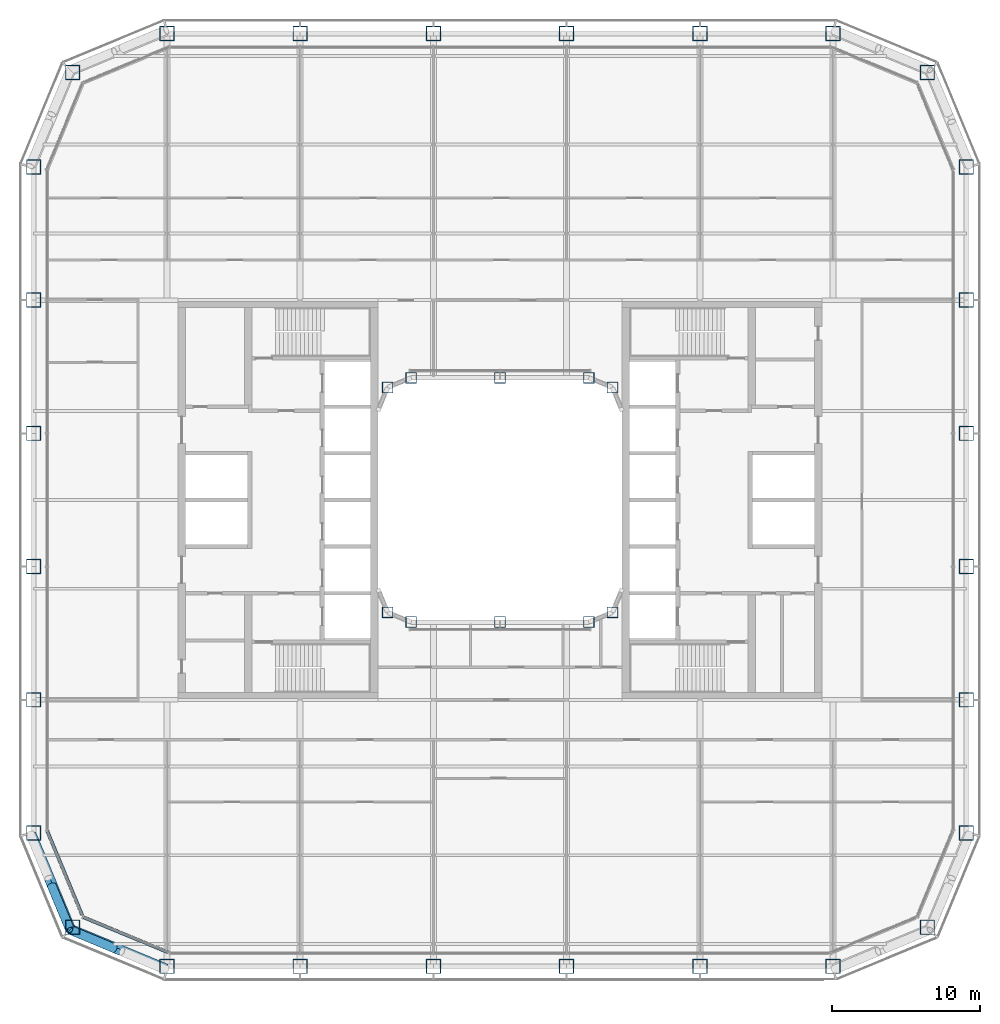
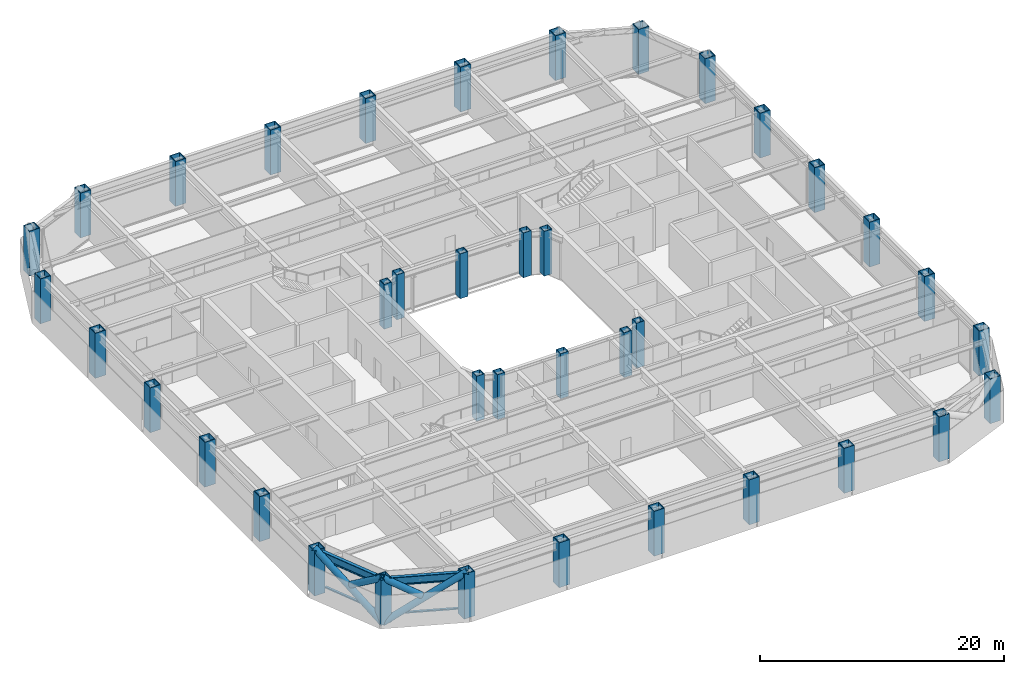
# One storey, part 1 of 24: 38 columns, 6 members, 2 beams, 2 elements without a shape of their own.
"""IFC4 building model written with IfcOpenShell, lengths in metres."""

from ifc_helpers import new_model, si_unit, direction, frame, origin, origin_2d, place, context, subcontext, project, spatial, rectangle, hollow_rectangle, hollow_circle, i_section, extrude, material, layer, layer_set, material_profile, profile_set, type_object, element, aggregate, save


model = new_model("IFC4")

# Units and contexts
model_context = context("Model", 3, precision=1e-05, world=origin(), true_north=direction((0.0, 1.0)))
body_context = subcontext(model_context, "Body", "Model", "MODEL_VIEW")
ifc_project = project(units=[si_unit("LENGTHUNIT", "METRE"), si_unit("AREAUNIT", "SQUARE_METRE"), si_unit("VOLUMEUNIT", "CUBIC_METRE"), si_unit("PLANEANGLEUNIT", "RADIAN"), si_unit("MASSUNIT", "GRAM", prefix="KILO")], contexts=[model_context])

# Site, building, storey
site_placement = place(None, origin())
site = spatial("IfcSite", under=ifc_project, at=site_placement, CompositionType="ELEMENT")
building_placement = place(site_placement, origin())
building = spatial("IfcBuilding", under=site, at=building_placement, Name="Siwar Civic Tower", CompositionType="ELEMENT")
storey_placement = place(building_placement, frame((0.0, 0.0, 76.199951171875)))
storey = spatial("IfcBuildingStorey", under=building, at=storey_placement, Name="L16", CompositionType="ELEMENT", Elevation=76.199951171875)

# Columns
ifc_material_1 = material(Name="Steel S460", Category="steel")
ifc_material_profile_1 = material_profile(ifc_material_1, hollow_rectangle(XDim=1.0, YDim=1.0, WallThickness=0.06005859375, at=origin_2d()), Name="BOX1000x1000x60")
ifc_profile_set_1 = profile_set([ifc_material_profile_1], Name="Steel S460")
column_type_1 = type_object("IfcColumnType", Name="STR-COL-BOX1000x1000x60", PredefinedType="COLUMN", material=ifc_profile_set_1)
for number, where, z_axis, x_axis, name in (
    (1, (-22.5, -31.5, 0.0), (0.0, 0.0, 1.0), (1.0, 0.0, 0.0), "L16/col/S-0"),
    (2, (-13.5, -31.5, 0.0), (0.0, 0.0, 1.0), (1.0, 0.0, 0.0), "L16/col/S-1"),
    (3, (-4.5, -31.5, 0.0), (0.0, 0.0, 1.0), (1.0, 0.0, 0.0), "L16/col/S-2"),
    (4, (4.5, -31.5, 0.0), (0.0, 0.0, 1.0), (1.0, 0.0, 0.0), "L16/col/S-3"),
    (5, (13.5, -31.5, 0.0), (0.0, 0.0, 1.0), (1.0, 0.0, 0.0), "L16/col/S-4"),
    (6, (22.5, -31.5, 0.0), (0.0, 0.0, 1.0), (1.0, 0.0, 0.0), "L16/col/SE1-0"),
    (7, (28.864013671875, -28.864013671875, 0.0), (0.0, 0.0, 1.0), (1.0, 0.0, 0.0), "L16/col/SE2-0"),
    (8, (31.5, -22.5, 0.0), (0.0, 0.0, 1.0), (1.0, 0.0, 0.0), "L16/col/E-0"),
    (9, (31.5, -13.5, 0.0), (0.0, 0.0, 1.0), (1.0, 0.0, 0.0), "L16/col/E-1"),
    (10, (31.5, -4.5, 0.0), (0.0, 0.0, 1.0), (1.0, 0.0, 0.0), "L16/col/E-2"),
    (11, (31.5, 4.5, 0.0), (0.0, 0.0, 1.0), (1.0, 0.0, 0.0), "L16/col/E-3"),
    (12, (31.5, 13.5, 0.0), (0.0, 0.0, 1.0), (1.0, 0.0, 0.0), "L16/col/E-4"),
    (13, (31.5, 22.5, 0.0), (0.0, 0.0, 1.0), (1.0, 0.0, 0.0), "L16/col/NE1-0"),
    (14, (28.864013671875, 28.864013671875, 0.0), (0.0, 0.0, 1.0), (1.0, 0.0, 0.0), "L16/col/NE2-0"),
    (15, (22.5, 31.5, 0.0), (0.0, 0.0, 1.0), (1.0, 0.0, 0.0), "L16/col/N-0"),
    (16, (13.5, 31.5, 0.0), (0.0, 0.0, 1.0), (1.0, 0.0, 0.0), "L16/col/N-1"),
    (17, (4.5, 31.5, 0.0), (0.0, 0.0, 1.0), (1.0, 0.0, 0.0), "L16/col/N-2"),
    (18, (-4.5, 31.5, 0.0), (0.0, 0.0, 1.0), (1.0, 0.0, 0.0), "L16/col/N-3"),
    (19, (-13.5, 31.5, 0.0), (0.0, 0.0, 1.0), (1.0, 0.0, 0.0), "L16/col/N-4"),
    (20, (-22.5, 31.5, 0.0), (0.0, 0.0, 1.0), (1.0, 0.0, 0.0), "L16/col/NW1-0"),
    (21, (-28.864013671875, 28.864013671875, 0.0), (0.0, 0.0, 1.0), (1.0, 0.0, 0.0), "L16/col/NW2-0"),
    (22, (-31.5, 22.5, 0.0), (0.0, 0.0, 1.0), (1.0, 0.0, 0.0), "L16/col/W-0"),
    (23, (-31.5, 13.5, 0.0), (0.0, 0.0, 1.0), (1.0, 0.0, 0.0), "L16/col/W-1"),
    (24, (-31.5, 4.5, 0.0), (0.0, 0.0, 1.0), (1.0, 0.0, 0.0), "L16/col/W-2"),
    (25, (-31.5, -4.5, 0.0), (0.0, 0.0, 1.0), (1.0, 0.0, 0.0), "L16/col/W-3"),
    (26, (-31.5, -13.5, 0.0), (0.0, 0.0, 1.0), (1.0, 0.0, 0.0), "L16/col/W-4"),
    (27, (-31.5, -22.5, 0.0), (0.0, 0.0, 1.0), (1.0, 0.0, 0.0), "L16/col/SW1-0"),
    (28, (-28.864013671875, -28.864013671875, 0.0), (0.0, 0.0, 1.0), (1.0, 0.0, 0.0), "L16/col/SW2-0"),
):
    element("IfcColumn", number, at=place(storey_placement, frame(where, z_axis=z_axis, x_axis=x_axis)), inside=storey, type_object=column_type_1, Name=name, PredefinedType="COLUMN", context=body_context, shape_type="SweptSolid", body=[
        extrude(hollow_rectangle(XDim=1.0, YDim=1.0, WallThickness=0.06005859375, at=origin_2d()), origin(), (0.0, 0.0, 1.0), 4.5),
    ])
ifc_material_2 = material(Name="Steel S355", Category="steel")
ifc_material_profile_2 = material_profile(ifc_material_2, hollow_rectangle(XDim=0.75, YDim=0.75, WallThickness=0.044921875, at=origin_2d()), Name="BOX750x750x45")
ifc_profile_set_2 = profile_set([ifc_material_profile_2], Name="Steel S355")
column_type_2 = type_object("IfcColumnType", Name="STR-ICOL-BOX750x750x45", PredefinedType="COLUMN", material=ifc_profile_set_2)
for number, where, z_axis, x_axis, name in (
    (29, (-7.591064453125, -7.591064453125, 0.0), (0.0, 0.0, 1.0), (1.0, 0.0, 0.0), "L16/col/IS-0"),
    (30, (-6.0, -8.25, 0.0), (0.0, 0.0, 1.0), (1.0, 0.0, 0.0), "L16/col/IS-1"),
    (31, (0.0, -8.25, 0.0), (0.0, 0.0, 1.0), (1.0, 0.0, 0.0), "L16/col/IS-2"),
    (32, (6.0, -8.25, 0.0), (0.0, 0.0, 1.0), (1.0, 0.0, 0.0), "L16/col/IS-3"),
    (33, (7.591064453125, -7.591064453125, 0.0), (0.0, 0.0, 1.0), (1.0, 0.0, 0.0), "L16/col/IS-4"),
    (34, (-7.591064453125, 7.591064453125, 0.0), (0.0, 0.0, 1.0), (1.0, 0.0, 0.0), "L16/col/IN-0"),
    (35, (-6.0, 8.25, 0.0), (0.0, 0.0, 1.0), (1.0, 0.0, 0.0), "L16/col/IN-1"),
    (36, (0.0, 8.25, 0.0), (0.0, 0.0, 1.0), (1.0, 0.0, 0.0), "L16/col/IN-2"),
    (37, (6.0, 8.25, 0.0), (0.0, 0.0, 1.0), (1.0, 0.0, 0.0), "L16/col/IN-3"),
    (38, (7.591064453125, 7.591064453125, 0.0), (0.0, 0.0, 1.0), (1.0, 0.0, 0.0), "L16/col/IN-4"),
):
    element("IfcColumn", number, at=place(storey_placement, frame(where, z_axis=z_axis, x_axis=x_axis)), inside=storey, type_object=column_type_2, Name=name, PredefinedType="COLUMN", context=body_context, shape_type="SweptSolid", body=[
        extrude(hollow_rectangle(XDim=0.75, YDim=0.75, WallThickness=0.044921875, at=origin_2d()), origin(), (0.0, 0.0, 1.0), 4.5),
    ])

# Curtain wall, member
ifc_material_3 = material(Name="Aluminium clad insulated panel", Category="aluminium")
ifc_layer = layer(ifc_material_3, 0.219970703125)
ifc_layer_set = layer_set([ifc_layer], Name="Aluminium clad insulated panel")
curtain_wall_type = type_object("IfcCurtainWallType", Name="ENV-CW-AX", PredefinedType="NOTDEFINED", material=ifc_layer_set)
curtain_wall_1_placement = place(storey_placement, origin())
curtain_wall_1 = element("IfcCurtainWall", 39, at=curtain_wall_1_placement, inside=storey, type_object=curtain_wall_type, Name="Curtain wall A SW1", PredefinedType="NOTDEFINED")
ifc_material_4 = material(Name="Aluminium 6063-T6", Category="aluminium")
ifc_material_profile_3 = material_profile(ifc_material_4, rectangle(XDim=0.219970703125, YDim=0.1201171875, at=origin_2d()), Name="AL 220x120")
ifc_profile_set_3 = profile_set([ifc_material_profile_3], Name="Aluminium 6063-T6")
member_type_1 = type_object("IfcMemberType", Name="ENV-TRANSOM-A", PredefinedType="USERDEFINED", material=ifc_profile_set_3)
member_1_placement = place(storey_placement, frame((-30.586669921875, -22.353271484375, 0.06005859375), z_axis=(0.382698415042, -0.923873326341, 0.0), x_axis=(0.923873326341, 0.382698415042, 0.0)))
member_1 = element("IfcMember", 40, at=member_1_placement, type_object=member_type_1, Name="Transom A SW1 1", ObjectType="TRANSOM", PredefinedType="USERDEFINED", context=body_context, shape_type="SweptSolid", body=[
    extrude(rectangle(XDim=0.219970703125, YDim=0.1201171875, at=origin_2d()), origin(), (0.0, 0.0, 1.0), 6.17919921875),
])
aggregate(curtain_wall_1, [member_1])

curtain_wall_2_placement = place(storey_placement, origin())
curtain_wall_2 = element("IfcCurtainWall", 41, at=curtain_wall_2_placement, inside=storey, type_object=curtain_wall_type, Name="Curtain wall A SW2", PredefinedType="NOTDEFINED")
member_2_placement = place(storey_placement, frame((-28.142822265625, -28.1884765625, 0.06005859375), z_axis=(0.923873326341, -0.382698415042, 0.0), x_axis=(0.382698415042, 0.923873326341, 0.0)))
member_2 = element("IfcMember", 42, at=member_2_placement, type_object=member_type_1, Name="Transom A SW2 1", ObjectType="TRANSOM", PredefinedType="USERDEFINED", context=body_context, shape_type="SweptSolid", body=[
    extrude(rectangle(XDim=0.219970703125, YDim=0.1201171875, at=origin_2d()), origin(), (0.0, 0.0, 1.0), 6.17919921875),
])
aggregate(curtain_wall_2, [member_2])

# Members
ifc_material_5 = material(Name="Steel S355", Category="steel")
ifc_material_profile_4 = material_profile(ifc_material_5, hollow_circle(Radius=0.304931640625, WallThickness=0.030029296875, at=origin_2d()), Name="CHS610x30")
ifc_profile_set_4 = profile_set([ifc_material_profile_4], Name="Steel S355")
member_type_2 = type_object("IfcMemberType", Name="STR-BR-CHS610x30", PredefinedType="BRACE", material=ifc_profile_set_4)
member_3_placement = place(storey_placement, frame((-29.040771484375, -29.040771484375, 0.0), z_axis=(0.777554562952, -0.323905527954, 0.538975055633), x_axis=(0.384538969033, 0.923108759191, 0.0)))
element("IfcMember", 43, at=member_3_placement, inside=storey, type_object=member_type_2, Name="L16/brc/ASW1-15-0-1", PredefinedType="BRACE", context=body_context, shape_type="SweptSolid", body=[
    extrude(hollow_circle(Radius=0.304931640625, WallThickness=0.030029296875, at=origin_2d()), origin(), (0.0, 0.0, 1.0), 8.34912109375),
])
member_4_placement = place(storey_placement, frame((-26.052001953125, -30.285888671875, 2.428466796875), z_axis=(-0.777568797048, 0.323934068367, 0.538937366685), x_axis=(-0.384561842466, -0.923099230484, 0.0)))
element("IfcMember", 44, at=member_4_placement, inside=storey, type_object=member_type_2, Name="L16/brc/ASW1-15-0-3", PredefinedType="BRACE", context=body_context, shape_type="SweptSolid", body=[
    extrude(hollow_circle(Radius=0.304931640625, WallThickness=0.030029296875, at=origin_2d()), origin(), (0.0, 0.0, 1.0), 3.84375),
])
member_5_placement = place(storey_placement, frame((-29.040771484375, -29.040771484375, 0.0), z_axis=(-0.323905527954, 0.777554562952, 0.538975055633), x_axis=(-0.923108759191, -0.384538969033, 0.0)))
element("IfcMember", 45, at=member_5_placement, inside=storey, type_object=member_type_2, Name="L16/brc/ASW1-15-0-0", PredefinedType="BRACE", context=body_context, shape_type="SweptSolid", body=[
    extrude(hollow_circle(Radius=0.304931640625, WallThickness=0.030029296875, at=origin_2d()), origin(), (0.0, 0.0, 1.0), 8.34912109375),
])
member_6_placement = place(storey_placement, frame((-30.285888671875, -26.052001953125, 2.428466796875), z_axis=(0.323934068367, -0.777568797048, 0.538937366685), x_axis=(0.923099230484, 0.384561842466, 0.0)))
element("IfcMember", 46, at=member_6_placement, inside=storey, type_object=member_type_2, Name="L16/brc/ASW1-15-0-5", PredefinedType="BRACE", context=body_context, shape_type="SweptSolid", body=[
    extrude(hollow_circle(Radius=0.304931640625, WallThickness=0.030029296875, at=origin_2d()), origin(), (0.0, 0.0, 1.0), 3.84375),
])

# Beams
ifc_material_6 = material(Name="Steel S355", Category="steel")
ifc_material_profile_5 = material_profile(ifc_material_6, i_section(OverallWidth=0.302978515625, OverallDepth=0.81396484375, WebThickness=0.02099609375, FlangeThickness=0.0400390625, FilletRadius=0.030029296875, at=origin_2d()), Name="HEM800")
ifc_profile_set_5 = profile_set([ifc_material_profile_5], Name="Steel S355")
beam_type = type_object("IfcBeamType", Name="STR-SB-HEM800", PredefinedType="BEAM", material=ifc_profile_set_5)
for number, where, z_axis, x_axis, name in (
    (47, (-31.5, -22.5, 3.943115234375), (0.382674207535, -0.923883353507, 0.0), (0.923883353507, 0.382674207535, 0.0), "L16/bm/SSW1-0"),
    (48, (-28.864013671875, -28.864013671875, 3.943115234375), (0.923883353507, -0.382674207535, 0.0), (0.382674207535, 0.923883353507, 0.0), "L16/bm/SSW2-0"),
):
    element("IfcBeam", number, at=place(storey_placement, frame(where, z_axis=z_axis, x_axis=x_axis)), inside=storey, type_object=beam_type, Name=name, PredefinedType="BEAM", context=body_context, shape_type="SweptSolid", body=[
        extrude(i_section(OverallWidth=0.302978515625, OverallDepth=0.81396484375, WebThickness=0.02099609375, FlangeThickness=0.0400390625, FilletRadius=0.030029296875, at=origin_2d()), origin(), (0.0, 0.0, 1.0), 6.888427734375),
    ])

save(model, "model.ifc")
